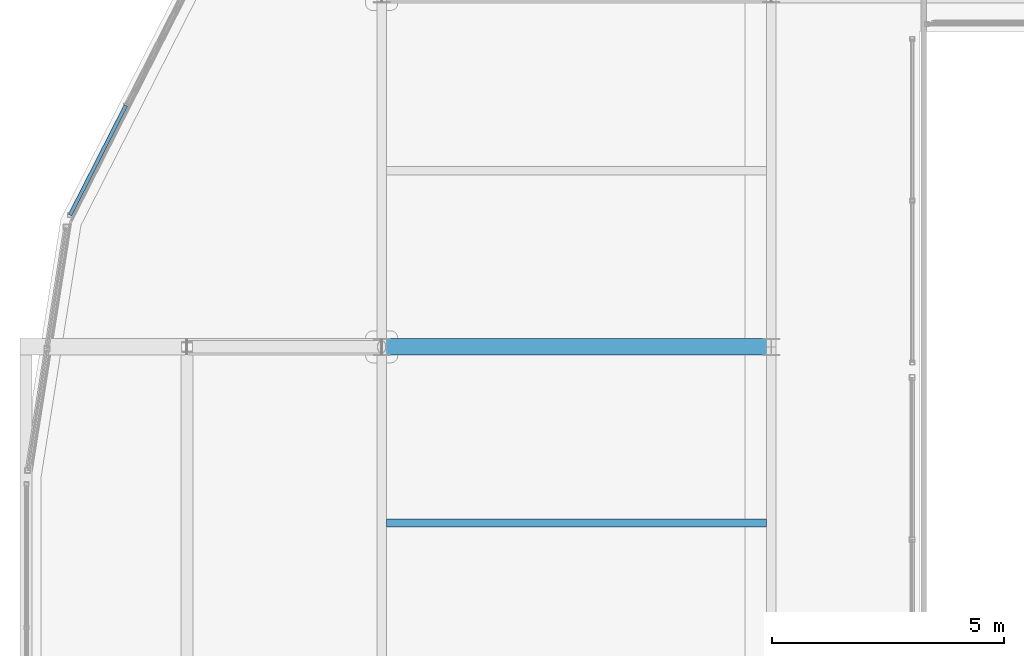
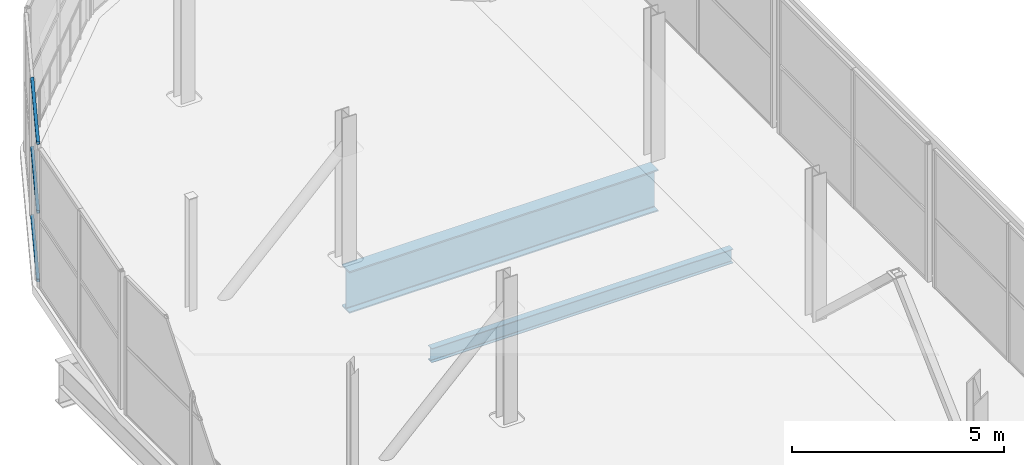
# One storey, part 50 of 217: 3 members, 2 beams, 1 element without a shape of its own.
"""IFC4 building model written with IfcOpenShell, lengths in metres."""

from ifc_helpers import new_model, si_unit, direction, frame, origin, origin_2d, place, context, subcontext, project, spatial, hollow_rectangle, i_section, extrude, material, material_profile, profile_set, type_object, element, aggregate, save


model = new_model("IFC4")

# Units and contexts
model_context = context("Model", 3, precision=1e-05, world=origin(), true_north=direction((0.0, 1.0)))
body_context = subcontext(model_context, "Body", "Model", "MODEL_VIEW")
ifc_project = project(units=[si_unit("LENGTHUNIT", "METRE"), si_unit("AREAUNIT", "SQUARE_METRE"), si_unit("VOLUMEUNIT", "CUBIC_METRE"), si_unit("PLANEANGLEUNIT", "RADIAN"), si_unit("MASSUNIT", "GRAM", prefix="KILO")], contexts=[model_context])

# Site, building, storey
site_placement = place(None, origin())
site = spatial("IfcSite", under=ifc_project, at=site_placement, CompositionType="ELEMENT")
building_placement = place(site_placement, origin())
building = spatial("IfcBuilding", under=site, at=building_placement, Name="Zuvorla Pavilion Media Centre", CompositionType="ELEMENT")
storey_placement = place(building_placement, frame((0.0, 0.0, 9.60009765625)))
storey = spatial("IfcBuildingStorey", under=building, at=storey_placement, Name="L02", CompositionType="ELEMENT", Elevation=9.60009765625)

# Beams
ifc_material_1 = material(Name="Steel S355", Category="steel")
ifc_material_profile_1 = material_profile(ifc_material_1, i_section(OverallWidth=0.360107421875, OverallDepth=1.199951171875, WebThickness=0.02001953125, FlangeThickness=0.0380859375, FilletRadius=0.02392578125, at=origin_2d()), Name="PG 1200x360x38")
ifc_profile_set_1 = profile_set([ifc_material_profile_1], Name="Steel S355")
beam_type_1 = type_object("IfcBeamType", Name="BM-PG1200", PredefinedType="BEAM", material=ifc_profile_set_1)
beam_1_placement = place(storey_placement, frame((24.800048828125, 74.39990234375, -0.8681640625), z_axis=(-1.0, 0.0, 0.0), x_axis=(0.0, -1.0, 0.0)))
element("IfcBeam", 1, at=beam_1_placement, inside=storey, type_object=beam_type_1, Name="L02 beam B01 1677", PredefinedType="BEAM", context=body_context, shape_type="SweptSolid", body=[
    extrude(i_section(OverallWidth=0.360107421875, OverallDepth=1.199951171875, WebThickness=0.02001953125, FlangeThickness=0.0380859375, FilletRadius=0.02392578125, at=origin_2d()), origin(), (0.0, 0.0, 1.0), 8.400146484375),
])
ifc_material_profile_2 = material_profile(ifc_material_1, i_section(OverallWidth=0.1787109375, OverallDepth=0.409423828125, WebThickness=0.0087890625, FlangeThickness=0.014404296875, FilletRadius=0.01025390625, at=origin_2d()), Name="UB 406x178x67")
ifc_profile_set_2 = profile_set([ifc_material_profile_2], Name="Steel S355")
beam_type_2 = type_object("IfcBeamType", Name="BM-UB406", PredefinedType="JOIST", material=ifc_profile_set_2)
beam_2_placement = place(storey_placement, frame((16.5, 70.60009765625, -0.472900390625), z_axis=(1.0, 0.0, 0.0), x_axis=(0.0, 1.0, 0.0)))
element("IfcBeam", 2, at=beam_2_placement, inside=storey, type_object=beam_type_2, Name="L02 joist J02 983", PredefinedType="JOIST", context=body_context, shape_type="SweptSolid", body=[
    extrude(i_section(OverallWidth=0.1787109375, OverallDepth=0.409423828125, WebThickness=0.0087890625, FlangeThickness=0.014404296875, FilletRadius=0.01025390625, at=origin_2d()), origin(), (0.0, 0.0, 1.0), 8.199951171875),
])

# Curtain wall, members
ifc_material_2 = material(Name="Unitised anodised aluminium and solar glass curtain wall", Category="aluminium")
curtain_wall_type = type_object("IfcCurtainWallType", Name="CW-SYS-04", PredefinedType="USERDEFINED", material=ifc_material_2)
curtain_wall_placement = place(storey_placement, origin())
curtain_wall = element("IfcCurtainWall", 3, at=curtain_wall_placement, inside=storey, type_object=curtain_wall_type, Name="L02 curtain wall CW04 30", ObjectType="CURTAIN WALL", PredefinedType="USERDEFINED")
ifc_material_3 = material(Name="Anodised aluminium 6063-T6", Category="aluminium")
ifc_material_profile_3 = material_profile(ifc_material_3, hollow_rectangle(XDim=0.080078125, YDim=0.080078125, WallThickness=0.00390625, at=origin_2d()), Name="ALU TRAN 80x80")
ifc_profile_set_3 = profile_set([ifc_material_profile_3], Name="Anodised aluminium 6063-T6")
member_type = type_object("IfcMemberType", Name="CW-TRAN-80", PredefinedType="USERDEFINED", material=ifc_profile_set_3)
member_1_placement = place(storey_placement, frame((10.884033203125, 79.607666015625, 0.0), z_axis=(-0.453929912622, -0.891037392272, 0.0), x_axis=(0.891037392272, -0.453929912622, 0.0)))
member_1 = element("IfcMember", 4, at=member_1_placement, type_object=member_type, Name="CW04 transom 2.1", ObjectType="TRANSOM", PredefinedType="USERDEFINED", context=body_context, shape_type="SweptSolid", body=[
    extrude(hollow_rectangle(XDim=0.080078125, YDim=0.080078125, WallThickness=0.00390625, at=origin_2d()), origin(), (0.0, 0.0, 1.0), 2.65576171875),
])
member_2_placement = place(storey_placement, frame((10.884033203125, 79.607666015625, 1.974853515625), z_axis=(-0.453929912622, -0.891037392272, 0.0), x_axis=(0.891037392272, -0.453929912622, 0.0)))
member_2 = element("IfcMember", 5, at=member_2_placement, type_object=member_type, Name="CW04 transom 2.2", ObjectType="TRANSOM", PredefinedType="USERDEFINED", context=body_context, shape_type="SweptSolid", body=[
    extrude(hollow_rectangle(XDim=0.080078125, YDim=0.080078125, WallThickness=0.00390625, at=origin_2d()), origin(), (0.0, 0.0, 1.0), 2.65576171875),
])
member_3_placement = place(storey_placement, frame((10.884033203125, 79.607666015625, 3.949951171875), z_axis=(-0.453929912622, -0.891037392272, 0.0), x_axis=(0.891037392272, -0.453929912622, 0.0)))
member_3 = element("IfcMember", 6, at=member_3_placement, type_object=member_type, Name="CW04 transom 2.3", ObjectType="TRANSOM", PredefinedType="USERDEFINED", context=body_context, shape_type="SweptSolid", body=[
    extrude(hollow_rectangle(XDim=0.080078125, YDim=0.080078125, WallThickness=0.00390625, at=origin_2d()), origin(), (0.0, 0.0, 1.0), 2.65576171875),
])
aggregate(curtain_wall, [member_1, member_2, member_3])

save(model, "model.ifc")
